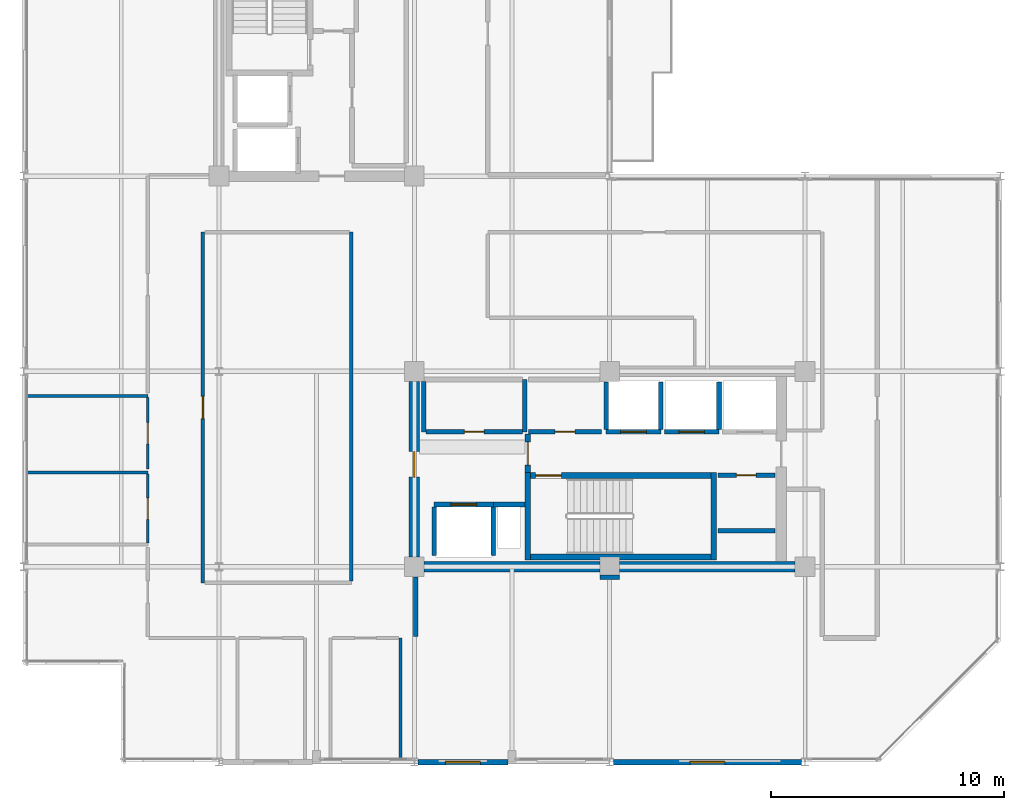
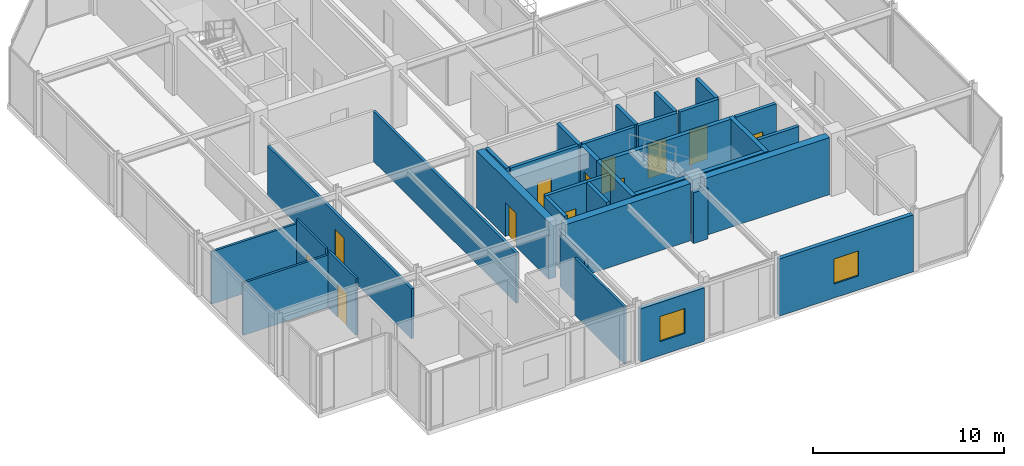
# One storey, part 21 of 26: 34 walls, 12 doors, 2 windows, 14 openings.
"""IFC4 building model written with IfcOpenShell, lengths in metres."""

from ifc_helpers import new_model, si_unit, direction, frame, frame_2d, origin, place, context, subcontext, project, spatial, rectangle, extrude, material, layer, layer_set, type_object, element, fill, save


model = new_model("IFC4")

# Units and contexts
model_context = context("Model", 3, precision=1e-05, world=origin(), true_north=direction((0.0, 1.0)))
body_context = subcontext(model_context, "Body", "Model", "MODEL_VIEW")
ifc_project = project(units=[si_unit("LENGTHUNIT", "METRE"), si_unit("AREAUNIT", "SQUARE_METRE"), si_unit("VOLUMEUNIT", "CUBIC_METRE"), si_unit("PLANEANGLEUNIT", "RADIAN"), si_unit("MASSUNIT", "GRAM", prefix="KILO")], contexts=[model_context])

# Site, building, storey
site_placement = place(None, origin())
site = spatial("IfcSite", under=ifc_project, at=site_placement, CompositionType="ELEMENT")
building_placement = place(site_placement, origin())
building = spatial("IfcBuilding", under=site, at=building_placement, Name="Nerrivon Quay Data Exchange", CompositionType="ELEMENT")
storey_placement = place(building_placement, frame((0.0, 0.0, 282.199951171875)))
storey = spatial("IfcBuildingStorey", under=building, at=storey_placement, Name="L67", CompositionType="ELEMENT", Elevation=282.199951171875)

# Wall, opening, window
ifc_material_1 = material(Name="Architectural terracotta precast concrete N50 (50 MPa)", Category="masonry")
ifc_layer_1 = layer(ifc_material_1, 0.239990234375)
ifc_layer_set_1 = layer_set([ifc_layer_1], Name="Architectural terracotta precast concrete N50 (50 MPa)")
wall_type_1 = type_object("IfcWallType", Name="EW-PREC-240", PredefinedType="STANDARD", material=ifc_layer_set_1)
wall_1_placement = place(storey_placement, frame((33.444580078125, 0.0, 0.0), z_axis=(0.0, 0.0, 1.0), x_axis=(-1.0, 0.0, 0.0)))
wall_1 = element("IfcWall", 1, at=wall_1_placement, inside=storey, type_object=wall_type_1, Name="L67 Podium Precast Spandrel Wall 3", PredefinedType="STANDARD", context=body_context, shape_type="SweptSolid", body=[
    extrude(rectangle(XDim=8.089111328125, YDim=0.239990234375, at=frame_2d((4.04443359375, 0.0))), origin(), (0.0, 0.0, 1.0), 3.650146484375),
])
opening_1_placement = place(wall_1_placement, frame((3.29443359375, 0.0, 0.89990234375)))
opening_1 = element("IfcOpeningElement", 2, at=opening_1_placement, cuts=wall_1, Name="Opening WN4", PredefinedType="OPENING", context=body_context, shape_type="SweptSolid", body=[
    extrude(rectangle(XDim=1.5, YDim=1.60009765625, at=frame_2d((0.75, 0.800048828125))), frame((0.0, 0.1298828125, 0.0), z_axis=(0.0, -1.0, 0.0), x_axis=(1.0, 0.0, 0.0)), (0.0, 0.0, 1.0), 0.260009765625),
])
ifc_material_2 = material(Name="Double-glazed low-E solar control glass", Category="glass")
window_type = type_object("IfcWindowType", Name="WIN-W4-1500x1600", PartitioningType="SINGLE_PANEL", PredefinedType="WINDOW", material=ifc_material_2)
window_1_placement = place(opening_1_placement, origin())
window_1 = element("IfcWindow", 3, at=window_1_placement, inside=storey, type_object=window_type, Name="L67 Solar Facade Window 3", OverallHeight=1.60009765625, OverallWidth=1.5, PartitioningType="SINGLE_PANEL", PredefinedType="WINDOW", context=body_context, shape_type="SweptSolid", body=[
    extrude(rectangle(XDim=1.5, YDim=1.60009765625, at=frame_2d((0.75, 0.800048828125))), frame((0.0, 0.030029296875, 0.0), z_axis=(0.0, -1.0, 0.0), x_axis=(1.0, 0.0, 0.0)), (0.0, 0.0, 1.0), 0.06005859375),
])
fill(opening_1, window_1)

wall_2_placement = place(storey_placement, frame((20.824951171875, 0.0, 0.0), z_axis=(0.0, 0.0, 1.0), x_axis=(-1.0, 0.0, 0.0)))
wall_2 = element("IfcWall", 4, at=wall_2_placement, inside=storey, type_object=wall_type_1, Name="L67 Podium Precast Spandrel Wall 5", PredefinedType="STANDARD", context=body_context, shape_type="SweptSolid", body=[
    extrude(rectangle(XDim=3.869384765625, YDim=0.239990234375, at=frame_2d((1.9345703125, 0.0))), origin(), (0.0, 0.0, 1.0), 3.400146484375),
])
opening_2_placement = place(wall_2_placement, frame((1.184814453125, 0.0, 0.89990234375)))
opening_2 = element("IfcOpeningElement", 5, at=opening_2_placement, cuts=wall_2, Name="Opening WN4", PredefinedType="OPENING", context=body_context, shape_type="SweptSolid", body=[
    extrude(rectangle(XDim=1.5, YDim=1.60009765625, at=frame_2d((0.75, 0.800048828125))), frame((0.0, 0.1298828125, 0.0), z_axis=(0.0, -1.0, 0.0), x_axis=(1.0, 0.0, 0.0)), (0.0, 0.0, 1.0), 0.260009765625),
])
window_2_placement = place(opening_2_placement, origin())
window_2 = element("IfcWindow", 6, at=window_2_placement, inside=storey, type_object=window_type, Name="L67 Solar Facade Window 5", OverallHeight=1.60009765625, OverallWidth=1.5, PartitioningType="SINGLE_PANEL", PredefinedType="WINDOW", context=body_context, shape_type="SweptSolid", body=[
    extrude(rectangle(XDim=1.5, YDim=1.60009765625, at=frame_2d((0.75, 0.800048828125))), frame((0.0, 0.030029296875, 0.0), z_axis=(0.0, -1.0, 0.0), x_axis=(1.0, 0.0, 0.0)), (0.0, 0.0, 1.0), 0.06005859375),
])
fill(opening_2, window_2)

# Walls
ifc_material_3 = material(Name="Concrete N50 (50 MPa)", Category="concrete")
ifc_layer_2 = layer(ifc_material_3, 0.449951171875)
ifc_layer_set_2 = layer_set([ifc_layer_2], Name="Concrete N50 (50 MPa)")
wall_type_2 = type_object("IfcWallType", Name="WALL-CW-550", PredefinedType="SHEAR", material=ifc_layer_set_2)
wall_3_placement = place(storey_placement, frame((17.22509765625, 8.39990234375, 0.0), z_axis=(0.0, 0.0, 1.0), x_axis=(1.0, 0.0, 0.0)))
element("IfcWall", 7, at=wall_3_placement, inside=storey, type_object=wall_type_2, Name="L67 East Split-Core Shear Wall ECW-S1", PredefinedType="SHEAR", context=body_context, shape_type="SweptSolid", body=[
    extrude(rectangle(XDim=7.5498046875, YDim=0.449951171875, at=frame_2d((3.77490234375, 0.0))), origin(), (0.0, 0.0, 1.0), 3.650146484375),
])
wall_4_placement = place(storey_placement, frame((25.625, 8.39990234375, 0.0), z_axis=(0.0, 0.0, 1.0), x_axis=(1.0, 0.0, 0.0)))
element("IfcWall", 8, at=wall_4_placement, inside=storey, type_object=wall_type_2, Name="L67 East Split-Core Shear Wall ECW-S2", PredefinedType="SHEAR", context=body_context, shape_type="SweptSolid", body=[
    extrude(rectangle(XDim=7.550048828125, YDim=0.449951171875, at=frame_2d((3.77490234375, 0.0))), origin(), (0.0, 0.0, 1.0), 3.650146484375),
])

# Wall, opening, door
wall_5_placement = place(storey_placement, frame((16.800048828125, 8.824951171875, 0.0), z_axis=(0.0, 0.0, 1.0), x_axis=(0.0, 1.0, 0.0)))
wall_5 = element("IfcWall", 9, at=wall_5_placement, inside=storey, type_object=wall_type_2, Name="L67 East Split-Core Shear Wall ECW-W1", PredefinedType="SHEAR", context=body_context, shape_type="SweptSolid", body=[
    extrude(rectangle(XDim=7.550048828125, YDim=0.449951171875, at=frame_2d((3.77490234375, 0.0))), origin(), (0.0, 0.0, 1.0), 3.650146484375),
])
opening_3_placement = place(wall_5_placement, frame((3.425048828125, 0.0, 0.0)))
opening_3 = element("IfcOpeningElement", 10, at=opening_3_placement, cuts=wall_5, Name="Opening FD-120", PredefinedType="OPENING", context=body_context, shape_type="SweptSolid", body=[
    extrude(rectangle(XDim=1.10009765625, YDim=2.14990234375, at=frame_2d((0.550048828125, 1.074951171875))), frame((0.0, 0.23486328125, 0.0), z_axis=(0.0, -1.0, 0.0), x_axis=(1.0, 0.0, 0.0)), (0.0, 0.0, 1.0), 0.469970703125),
])
ifc_material_4 = material(Name="Powder-coated galvanized steel sheet", Category="steel")
door_type_1 = type_object("IfcDoorType", Name="DR-FD120-1100", OperationType="NOTDEFINED", PredefinedType="DOOR", material=ifc_material_4)
door_1_placement = place(opening_3_placement, origin())
door_1 = element("IfcDoor", 11, at=door_1_placement, inside=storey, type_object=door_type_1, Name="L67 East Core Lobby Fire Door", OperationType="SINGLE_SWING_RIGHT", OverallHeight=2.14990234375, OverallWidth=1.10009765625, PredefinedType="DOOR", context=body_context, shape_type="SweptSolid", body=[
    extrude(rectangle(XDim=1.10009765625, YDim=2.14990234375, at=frame_2d((0.550048828125, 1.074951171875))), frame((0.0, 0.02490234375, 0.0), z_axis=(0.0, -1.0, 0.0), x_axis=(1.0, 0.0, 0.0)), (0.0, 0.0, 1.0), 0.050048828125),
])
fill(opening_3, door_1)

# Wall
ifc_material_5 = material(Name="Gypsum plasterboard on cold-formed framing", Category="gypsum")
ifc_layer_3 = layer(ifc_material_5, 0.199951171875)
ifc_layer_set_3 = layer_set([ifc_layer_3], Name="Gypsum plasterboard on cold-formed framing")
wall_type_3 = type_object("IfcWallType", Name="WALL-FW-200", PredefinedType="PARTITIONING", material=ifc_layer_set_3)
wall_6_placement = place(storey_placement, frame((20.199951171875, 11.080078125, 0.0), z_axis=(0.0, 0.0, 1.0), x_axis=(1.0, 0.0, 0.0)))
element("IfcWall", 12, at=wall_6_placement, inside=storey, type_object=wall_type_3, Name="L67 East Core MEP Riser Shaft Wall N", PredefinedType="PARTITIONING", context=body_context, shape_type="SweptSolid", body=[
    extrude(rectangle(XDim=1.35009765625, YDim=0.199951171875, at=frame_2d((0.675048828125, 0.0))), origin(), (0.0, 0.0, 1.0), 3.650146484375),
])

# Wall, opening, door
wall_7_placement = place(storey_placement, frame((17.64990234375, 11.080078125, 0.0), z_axis=(0.0, 0.0, 1.0), x_axis=(1.0, 0.0, 0.0)))
wall_7 = element("IfcWall", 13, at=wall_7_placement, inside=storey, type_object=wall_type_3, Name="L67 Lift Front Wall FFL-2", PredefinedType="PARTITIONING", context=body_context, shape_type="SweptSolid", body=[
    extrude(rectangle(XDim=2.550048828125, YDim=0.199951171875, at=frame_2d((1.27490234375, 0.0))), origin(), (0.0, 0.0, 1.0), 3.650146484375),
])
opening_4_placement = place(wall_7_placement, frame((0.72509765625, 0.0, 0.0)))
opening_4 = element("IfcOpeningElement", 14, at=opening_4_placement, cuts=wall_7, Name="Opening LD-120", PredefinedType="OPENING", context=body_context, shape_type="SweptSolid", body=[
    extrude(rectangle(XDim=1.10009765625, YDim=2.199951171875, at=frame_2d((0.550048828125, 1.10009765625))), frame((0.0, 0.10986328125, 0.0), z_axis=(0.0, -1.0, 0.0), x_axis=(1.0, 0.0, 0.0)), (0.0, 0.0, 1.0), 0.219970703125),
])
door_type_2 = type_object("IfcDoorType", Name="DR-LIFT-LD120", OperationType="DOUBLE_DOOR_SLIDING", PredefinedType="DOOR", material=ifc_material_4)
door_2_placement = place(opening_4_placement, origin())
door_2 = element("IfcDoor", 15, at=door_2_placement, inside=storey, type_object=door_type_2, Name="L67 Lift Landing Sliding Door FFL-2", OperationType="DOUBLE_DOOR_SLIDING", OverallHeight=2.199951171875, OverallWidth=1.10009765625, PredefinedType="DOOR", context=body_context, shape_type="SweptSolid", body=[
    extrude(rectangle(XDim=1.10009765625, YDim=2.199951171875, at=frame_2d((0.550048828125, 1.10009765625))), frame((0.0, 0.02490234375, 0.0), z_axis=(0.0, -1.0, 0.0), x_axis=(1.0, 0.0, 0.0)), (0.0, 0.0, 1.0), 0.050048828125),
])
fill(opening_4, door_2)

# Walls
for number, where, z_axis, x_axis, name in (
    (16, (20.199951171875, 8.8798828125, 0.0), (0.0, 0.0, 1.0), (0.0, 1.0, 0.0), "L67 Lift Shaft Wall FFL-2 EAST"),
    (17, (17.64990234375, 8.8798828125, 0.0), (0.0, 0.0, 1.0), (0.0, 1.0, 0.0), "L67 Lift Shaft Wall FFL-2 WEST"),
):
    element("IfcWall", number, at=place(storey_placement, frame(where, z_axis=z_axis, x_axis=x_axis)), inside=storey, type_object=wall_type_3, Name=name, PredefinedType="PARTITIONING", context=body_context, shape_type="SweptSolid", body=[
        extrude(rectangle(XDim=2.10009765625, YDim=0.199951171875, at=frame_2d((1.050048828125, 0.0))), origin(), (0.0, 0.0, 1.0), 3.650146484375),
    ])

# Wall, opening, door
wall_8_placement = place(storey_placement, frame((25.050048828125, 14.199951171875, 0.0), z_axis=(0.0, 0.0, 1.0), x_axis=(1.0, 0.0, 0.0)))
wall_8 = element("IfcWall", 18, at=wall_8_placement, inside=storey, type_object=wall_type_3, Name="L67 Lift Front Wall PL7", PredefinedType="PARTITIONING", context=body_context, shape_type="SweptSolid", body=[
    extrude(rectangle(XDim=2.349853515625, YDim=0.199951171875, at=frame_2d((1.1748046875, 0.0))), origin(), (0.0, 0.0, 1.0), 3.650146484375),
])
opening_5_placement = place(wall_8_placement, frame((0.625, 0.0, 0.0)))
opening_5 = element("IfcOpeningElement", 19, at=opening_5_placement, cuts=wall_8, Name="Opening LD-120", PredefinedType="OPENING", context=body_context, shape_type="SweptSolid", body=[
    extrude(rectangle(XDim=1.10009765625, YDim=2.199951171875, at=frame_2d((0.550048828125, 1.10009765625))), frame((0.0, 0.10986328125, 0.0), z_axis=(0.0, -1.0, 0.0), x_axis=(1.0, 0.0, 0.0)), (0.0, 0.0, 1.0), 0.219970703125),
])
door_3_placement = place(opening_5_placement, origin())
door_3 = element("IfcDoor", 20, at=door_3_placement, inside=storey, type_object=door_type_2, Name="L67 Lift Landing Sliding Door PL7", OperationType="DOUBLE_DOOR_SLIDING", OverallHeight=2.199951171875, OverallWidth=1.10009765625, PredefinedType="DOOR", context=body_context, shape_type="SweptSolid", body=[
    extrude(rectangle(XDim=1.10009765625, YDim=2.199951171875, at=frame_2d((0.550048828125, 1.10009765625))), frame((0.0, 0.02490234375, 0.0), z_axis=(0.0, -1.0, 0.0), x_axis=(1.0, 0.0, 0.0)), (0.0, 0.0, 1.0), 0.050048828125),
])
fill(opening_5, door_3)

# Walls
for number, where, z_axis, x_axis, name in (
    (21, (27.39990234375, 14.300048828125, 0.0), (0.0, 0.0, 1.0), (0.0, 1.0, 0.0), "L67 Lift Shaft Wall PL7 EAST"),
    (22, (25.050048828125, 14.300048828125, 0.0), (0.0, 0.0, 1.0), (0.0, 1.0, 0.0), "L67 Lift Shaft Wall PL7 WEST"),
):
    element("IfcWall", number, at=place(storey_placement, frame(where, z_axis=z_axis, x_axis=x_axis)), inside=storey, type_object=wall_type_3, Name=name, PredefinedType="PARTITIONING", context=body_context, shape_type="SweptSolid", body=[
        extrude(rectangle(XDim=2.050048828125, YDim=0.199951171875, at=frame_2d((1.02490234375, 0.0))), origin(), (0.0, 0.0, 1.0), 3.650146484375),
    ])

# Wall, opening, door
wall_9_placement = place(storey_placement, frame((27.550048828125, 14.199951171875, 0.0), z_axis=(0.0, 0.0, 1.0), x_axis=(1.0, 0.0, 0.0)))
wall_9 = element("IfcWall", 23, at=wall_9_placement, inside=storey, type_object=wall_type_3, Name="L67 Lift Front Wall PL8", PredefinedType="PARTITIONING", context=body_context, shape_type="SweptSolid", body=[
    extrude(rectangle(XDim=2.349853515625, YDim=0.199951171875, at=frame_2d((1.1748046875, 0.0))), origin(), (0.0, 0.0, 1.0), 3.650146484375),
])
opening_6_placement = place(wall_9_placement, frame((0.625, 0.0, 0.0)))
opening_6 = element("IfcOpeningElement", 24, at=opening_6_placement, cuts=wall_9, Name="Opening LD-120", PredefinedType="OPENING", context=body_context, shape_type="SweptSolid", body=[
    extrude(rectangle(XDim=1.10009765625, YDim=2.199951171875, at=frame_2d((0.550048828125, 1.10009765625))), frame((0.0, 0.10986328125, 0.0), z_axis=(0.0, -1.0, 0.0), x_axis=(1.0, 0.0, 0.0)), (0.0, 0.0, 1.0), 0.219970703125),
])
door_4_placement = place(opening_6_placement, origin())
door_4 = element("IfcDoor", 25, at=door_4_placement, inside=storey, type_object=door_type_2, Name="L67 Lift Landing Sliding Door PL8", OperationType="DOUBLE_DOOR_SLIDING", OverallHeight=2.199951171875, OverallWidth=1.10009765625, PredefinedType="DOOR", context=body_context, shape_type="SweptSolid", body=[
    extrude(rectangle(XDim=1.10009765625, YDim=2.199951171875, at=frame_2d((0.550048828125, 1.10009765625))), frame((0.0, 0.02490234375, 0.0), z_axis=(0.0, -1.0, 0.0), x_axis=(1.0, 0.0, 0.0)), (0.0, 0.0, 1.0), 0.050048828125),
])
fill(opening_6, door_4)

# Walls
wall_10_placement = place(storey_placement, frame((29.89990234375, 14.300048828125, 0.0), z_axis=(0.0, 0.0, 1.0), x_axis=(0.0, 1.0, 0.0)))
element("IfcWall", 26, at=wall_10_placement, inside=storey, type_object=wall_type_3, Name="L67 Lift Shaft Wall PL8 EAST", PredefinedType="PARTITIONING", context=body_context, shape_type="SweptSolid", body=[
    extrude(rectangle(XDim=2.050048828125, YDim=0.199951171875, at=frame_2d((1.02490234375, 0.0))), origin(), (0.0, 0.0, 1.0), 3.650146484375),
])
wall_11_placement = place(storey_placement, frame((21.550048828125, 14.199951171875, 0.0), z_axis=(0.0, 0.0, 1.0), x_axis=(0.0, 1.0, 0.0)))
element("IfcWall", 27, at=wall_11_placement, inside=storey, type_object=wall_type_3, Name="L67 Partition High-Zone Calibration Store", PredefinedType="PARTITIONING", context=body_context, shape_type="SweptSolid", body=[
    extrude(rectangle(XDim=2.25, YDim=0.199951171875, at=frame_2d((1.125, 0.0))), origin(), (0.0, 0.0, 1.0), 3.650146484375),
])
wall_12_placement = place(storey_placement, frame((17.199951171875, 16.3701171875, 0.0), z_axis=(0.0, 0.0, 1.0), x_axis=(0.0, -1.0, 0.0)))
element("IfcWall", 28, at=wall_12_placement, inside=storey, type_object=wall_type_3, Name="L67 Partition High-Zone Calibration Store", PredefinedType="PARTITIONING", context=body_context, shape_type="SweptSolid", body=[
    extrude(rectangle(XDim=2.170166015625, YDim=0.199951171875, at=frame_2d((1.0849609375, 0.0))), origin(), (0.0, 0.0, 1.0), 3.650146484375),
])

# Wall, opening, door
wall_13_placement = place(storey_placement, frame((17.303955078125, 14.199951171875, 0.0), z_axis=(0.0, 0.0, 1.0), x_axis=(1.0, 0.0, 0.0)))
wall_13 = element("IfcWall", 29, at=wall_13_placement, inside=storey, type_object=wall_type_3, Name="L67 Partition High-Zone Calibration Store", PredefinedType="PARTITIONING", context=body_context, shape_type="SweptSolid", body=[
    extrude(rectangle(XDim=4.14208984375, YDim=0.199951171875, at=frame_2d((2.071044921875, 0.0))), origin(), (0.0, 0.0, 1.0), 3.650146484375),
])
opening_7_placement = place(wall_13_placement, frame((1.64599609375, 0.0, 0.0)))
opening_7 = element("IfcOpeningElement", 30, at=opening_7_placement, cuts=wall_13, Name="Opening FD-60S", PredefinedType="OPENING", context=body_context, shape_type="SweptSolid", body=[
    extrude(rectangle(XDim=0.85009765625, YDim=2.14990234375, at=frame_2d((0.425048828125, 1.074951171875))), frame((0.0, 0.10986328125, 0.0), z_axis=(0.0, -1.0, 0.0), x_axis=(1.0, 0.0, 0.0)), (0.0, 0.0, 1.0), 0.219970703125),
])
ifc_material_6 = material(Name="Engineered hardwood timber", Category="wood")
door_type_3 = type_object("IfcDoorType", Name="DR-FD60-850", OperationType="NOTDEFINED", PredefinedType="DOOR", material=ifc_material_6)
door_5_placement = place(opening_7_placement, origin())
door_5 = element("IfcDoor", 31, at=door_5_placement, inside=storey, type_object=door_type_3, Name="L67 Door High-Zone Calibration Store", OperationType="SINGLE_SWING_LEFT", OverallHeight=2.14990234375, OverallWidth=0.85009765625, PredefinedType="DOOR", context=body_context, shape_type="SweptSolid", body=[
    extrude(rectangle(XDim=0.85009765625, YDim=2.14990234375, at=frame_2d((0.425048828125, 1.074951171875))), frame((0.0, 0.02490234375, 0.0), z_axis=(0.0, -1.0, 0.0), x_axis=(1.0, 0.0, 0.0)), (0.0, 0.0, 1.0), 0.050048828125),
])
fill(opening_7, door_5)

wall_14_placement = place(storey_placement, frame((21.699951171875, 14.199951171875, 0.0), z_axis=(0.0, 0.0, 1.0), x_axis=(1.0, 0.0, 0.0)))
wall_14 = element("IfcWall", 32, at=wall_14_placement, inside=storey, type_object=wall_type_3, Name="L67 Partition High-Zone Network Closet", PredefinedType="PARTITIONING", context=body_context, shape_type="SweptSolid", body=[
    extrude(rectangle(XDim=3.150146484375, YDim=0.199951171875, at=frame_2d((1.5751953125, 0.0))), origin(), (0.0, 0.0, 1.0), 3.650146484375),
])
opening_8_placement = place(wall_14_placement, frame((1.14990234375, 0.0, 0.0)))
opening_8 = element("IfcOpeningElement", 33, at=opening_8_placement, cuts=wall_14, Name="Opening FD-60S", PredefinedType="OPENING", context=body_context, shape_type="SweptSolid", body=[
    extrude(rectangle(XDim=0.85009765625, YDim=2.14990234375, at=frame_2d((0.425048828125, 1.074951171875))), frame((0.0, 0.10986328125, 0.0), z_axis=(0.0, -1.0, 0.0), x_axis=(1.0, 0.0, 0.0)), (0.0, 0.0, 1.0), 0.219970703125),
])
door_6_placement = place(opening_8_placement, origin())
door_6 = element("IfcDoor", 34, at=door_6_placement, inside=storey, type_object=door_type_3, Name="L67 Door High-Zone Network Closet", OperationType="SINGLE_SWING_RIGHT", OverallHeight=2.14990234375, OverallWidth=0.85009765625, PredefinedType="DOOR", context=body_context, shape_type="SweptSolid", body=[
    extrude(rectangle(XDim=0.85009765625, YDim=2.14990234375, at=frame_2d((0.425048828125, 1.074951171875))), frame((0.0, 0.02490234375, 0.0), z_axis=(0.0, -1.0, 0.0), x_axis=(1.0, 0.0, 0.0)), (0.0, 0.0, 1.0), 0.050048828125),
])
fill(opening_8, door_6)

wall_15_placement = place(storey_placement, frame((32.300048828125, 12.330078125, 0.0), z_axis=(0.0, 0.0, 1.0), x_axis=(-1.0, 0.0, 0.0)))
wall_15 = element("IfcWall", 35, at=wall_15_placement, inside=storey, type_object=wall_type_3, Name="L67 Partition East Supply Store", PredefinedType="PARTITIONING", context=body_context, shape_type="SweptSolid", body=[
    extrude(rectangle(XDim=2.449951171875, YDim=0.199951171875, at=frame_2d((1.22509765625, 0.0))), origin(), (0.0, 0.0, 1.0), 3.650146484375),
])
opening_9_placement = place(wall_15_placement, frame((0.800048828125, 0.0, 0.0)))
opening_9 = element("IfcOpeningElement", 36, at=opening_9_placement, cuts=wall_15, Name="Opening FD-60S", PredefinedType="OPENING", context=body_context, shape_type="SweptSolid", body=[
    extrude(rectangle(XDim=0.85009765625, YDim=2.14990234375, at=frame_2d((0.425048828125, 1.074951171875))), frame((0.0, 0.10986328125, 0.0), z_axis=(0.0, -1.0, 0.0), x_axis=(1.0, 0.0, 0.0)), (0.0, 0.0, 1.0), 0.219970703125),
])
door_7_placement = place(opening_9_placement, origin())
door_7 = element("IfcDoor", 37, at=door_7_placement, inside=storey, type_object=door_type_3, Name="L67 Door East Supply Store", OperationType="SINGLE_SWING_LEFT", OverallHeight=2.14990234375, OverallWidth=0.85009765625, PredefinedType="DOOR", context=body_context, shape_type="SweptSolid", body=[
    extrude(rectangle(XDim=0.85009765625, YDim=2.14990234375, at=frame_2d((0.425048828125, 1.074951171875))), frame((0.0, 0.02490234375, 0.0), z_axis=(0.0, -1.0, 0.0), x_axis=(1.0, 0.0, 0.0)), (0.0, 0.0, 1.0), 0.050048828125),
])
fill(opening_9, door_7)

# Walls
wall_16_placement = place(storey_placement, frame((29.85009765625, 9.949951171875, 0.0), z_axis=(0.0, 0.0, 1.0), x_axis=(1.0, 0.0, 0.0)))
element("IfcWall", 38, at=wall_16_placement, inside=storey, type_object=wall_type_3, Name="L67 Partition East Supply Store", PredefinedType="PARTITIONING", context=body_context, shape_type="SweptSolid", body=[
    extrude(rectangle(XDim=2.449951171875, YDim=0.199951171875, at=frame_2d((1.22509765625, 0.0))), origin(), (0.0, 0.0, 1.0), 3.650146484375),
])
wall_17_placement = place(storey_placement, frame((25.630859375, 7.955810546875, 0.0), z_axis=(0.0, 0.0, 1.0), x_axis=(-0.99999963391, -0.000855675671, 0.0)))
element("IfcWall", 39, at=wall_17_placement, inside=storey, type_object=wall_type_3, Name="L67 Partition Colocation Data Workspace 1", PredefinedType="PARTITIONING", context=body_context, shape_type="SweptSolid", body=[
    extrude(rectangle(XDim=0.85595703125, YDim=0.199951171875, at=frame_2d((0.427978515625, 0.0))), origin(), (0.0, 0.0, 1.0), 3.244140625),
])
wall_18_placement = place(storey_placement, frame((16.860107421875, 7.955078125, 0.0), z_axis=(0.0, 0.0, 1.0), x_axis=(0.0, -1.0, 0.0)))
element("IfcWall", 40, at=wall_18_placement, inside=storey, type_object=wall_type_3, Name="L67 Partition Colocation Data Workspace 1", PredefinedType="PARTITIONING", context=body_context, shape_type="SweptSolid", body=[
    extrude(rectangle(XDim=2.55517578125, YDim=0.199951171875, at=frame_2d((1.277587890625, 0.0))), origin(), (0.0, 0.0, 1.0), 3.244140625),
])

# Wall, opening, door
ifc_layer_4 = layer(ifc_material_5, 0.1201171875)
ifc_layer_set_4 = layer_set([ifc_layer_4], Name="Gypsum plasterboard on cold-formed framing")
wall_type_4 = type_object("IfcWallType", Name="WALL-PT-120", PredefinedType="PARTITIONING", material=ifc_layer_set_4)
wall_19_placement = place(storey_placement, frame((5.340087890625, 9.42138671875, 0.0), z_axis=(0.0, 0.0, 1.0), x_axis=(0.0, 1.0, 0.0)))
wall_19 = element("IfcWall", 41, at=wall_19_placement, inside=storey, type_object=wall_type_4, Name="L67 Partition Accessible Toilet", PredefinedType="PARTITIONING", context=body_context, shape_type="SweptSolid", body=[
    extrude(rectangle(XDim=2.95703125, YDim=0.1201171875, at=frame_2d((1.478515625, 0.0))), origin(), (0.0, 0.0, 1.0), 3.650146484375),
])
opening_10_placement = place(wall_19_placement, frame((1.0185546875, 0.0, 0.0)))
opening_10 = element("IfcOpeningElement", 42, at=opening_10_placement, cuts=wall_19, Name="Opening D-WC", PredefinedType="OPENING", context=body_context, shape_type="SweptSolid", body=[
    extrude(rectangle(XDim=0.919921875, YDim=2.10009765625, at=frame_2d((0.4599609375, 1.050048828125))), frame((0.0, 0.070068359375, 0.0), z_axis=(0.0, -1.0, 0.0), x_axis=(1.0, 0.0, 0.0)), (0.0, 0.0, 1.0), 0.14013671875),
])
door_type_4 = type_object("IfcDoorType", Name="DR-WC-920", OperationType="NOTDEFINED", PredefinedType="DOOR", material=ifc_material_6)
door_8_placement = place(opening_10_placement, origin())
door_8 = element("IfcDoor", 43, at=door_8_placement, inside=storey, type_object=door_type_4, Name="L67 Door Accessible Toilet", OperationType="SINGLE_SWING_RIGHT", OverallHeight=2.10009765625, OverallWidth=0.919921875, PredefinedType="DOOR", context=body_context, shape_type="SweptSolid", body=[
    extrude(rectangle(XDim=0.919921875, YDim=2.10009765625, at=frame_2d((0.4599609375, 1.050048828125))), frame((0.0, 0.02490234375, 0.0), z_axis=(0.0, -1.0, 0.0), x_axis=(1.0, 0.0, 0.0)), (0.0, 0.0, 1.0), 0.050048828125),
])
fill(opening_10, door_8)

wall_20_placement = place(storey_placement, frame((5.340087890625, 12.60009765625, 0.0), z_axis=(0.0, 0.0, 1.0), x_axis=(0.0, 1.0, 0.0)))
wall_20 = element("IfcWall", 44, at=wall_20_placement, inside=storey, type_object=wall_type_4, Name="L67 Partition Public Washrooms", PredefinedType="PARTITIONING", context=body_context, shape_type="SweptSolid", body=[
    extrude(rectangle(XDim=3.078369140625, YDim=0.1201171875, at=frame_2d((1.5390625, 0.0))), origin(), (0.0, 0.0, 1.0), 3.650146484375),
])
opening_11_placement = place(wall_20_placement, frame((1.079345703125, 0.0, 0.0)))
opening_11 = element("IfcOpeningElement", 45, at=opening_11_placement, cuts=wall_20, Name="Opening D-WC", PredefinedType="OPENING", context=body_context, shape_type="SweptSolid", body=[
    extrude(rectangle(XDim=0.919921875, YDim=2.10009765625, at=frame_2d((0.4599609375, 1.050048828125))), frame((0.0, 0.070068359375, 0.0), z_axis=(0.0, -1.0, 0.0), x_axis=(1.0, 0.0, 0.0)), (0.0, 0.0, 1.0), 0.14013671875),
])
door_9_placement = place(opening_11_placement, origin())
door_9 = element("IfcDoor", 46, at=door_9_placement, inside=storey, type_object=door_type_4, Name="L67 Door Public Washrooms", OperationType="SINGLE_SWING_LEFT", OverallHeight=2.10009765625, OverallWidth=0.919921875, PredefinedType="DOOR", context=body_context, shape_type="SweptSolid", body=[
    extrude(rectangle(XDim=0.919921875, YDim=2.10009765625, at=frame_2d((0.4599609375, 1.050048828125))), frame((0.0, 0.02490234375, 0.0), z_axis=(0.0, -1.0, 0.0), x_axis=(1.0, 0.0, 0.0)), (0.0, 0.0, 1.0), 0.050048828125),
])
fill(opening_11, door_9)

# Walls
ifc_layer_5 = layer(ifc_material_5, 0.135009765625)
ifc_layer_set_5 = layer_set([ifc_layer_5], Name="Gypsum plasterboard on cold-formed framing")
wall_type_5 = type_object("IfcWallType", Name="WALL-PT-135", PredefinedType="PARTITIONING", material=ifc_layer_set_5)
for number, where, z_axis, x_axis, name in (
    (47, (5.340087890625, 12.449951171875, 0.0), (0.0, 0.0, 1.0), (-1.0, 0.0, 0.0), "L67 Partition Accessible Toilet"),
    (48, (5.340087890625, 15.75, 0.0), (0.0, 0.0, 1.0), (-1.0, 0.0, 0.0), "L67 Partition Public Washrooms"),
):
    element("IfcWall", number, at=place(storey_placement, frame(where, z_axis=z_axis, x_axis=x_axis)), inside=storey, type_object=wall_type_5, Name=name, PredefinedType="PARTITIONING", context=body_context, shape_type="SweptSolid", body=[
        extrude(rectangle(XDim=5.171142578125, YDim=0.135009765625, at=frame_2d((2.58544921875, 0.0))), origin(), (0.0, 0.0, 1.0), 3.345947265625),
    ])
wall_21_placement = place(storey_placement, frame((16.199951171875, 0.1689453125, 0.0), z_axis=(0.0, 0.0, 1.0), x_axis=(0.0, 1.0, 0.0)))
element("IfcWall", 49, at=wall_21_placement, inside=storey, type_object=wall_type_5, Name="L67 Partition Accessible Unisex Toilet", PredefinedType="PARTITIONING", context=body_context, shape_type="SweptSolid", body=[
    extrude(rectangle(XDim=5.171142578125, YDim=0.135009765625, at=frame_2d((2.58544921875, 0.0))), origin(), (0.0, 0.0, 1.0), 3.650146484375),
])

# Wall, opening, door
ifc_layer_6 = layer(ifc_material_5, 0.14990234375)
ifc_layer_set_6 = layer_set([ifc_layer_6], Name="Gypsum plasterboard on cold-formed framing")
wall_type_6 = type_object("IfcWallType", Name="WALL-PT-150", PredefinedType="PARTITIONING", material=ifc_layer_set_6)
wall_22_placement = place(storey_placement, frame((7.7099609375, 22.7900390625, 0.0), z_axis=(0.0, 0.0, 1.0), x_axis=(0.0, -1.0, 0.0)))
wall_22 = element("IfcWall", 50, at=wall_22_placement, inside=storey, type_object=wall_type_6, Name="L67 Partition Staff Bistro", PredefinedType="PARTITIONING", context=body_context, shape_type="SweptSolid", body=[
    extrude(rectangle(XDim=15.080078125, YDim=0.14990234375, at=frame_2d((7.5400390625, 0.0))), origin(), (0.0, 0.0, 1.0), 3.196044921875),
])
opening_12_placement = place(wall_22_placement, frame((7.06494140625, 0.0, 0.0)))
opening_12 = element("IfcOpeningElement", 51, at=opening_12_placement, cuts=wall_22, Name="Opening D-01", PredefinedType="OPENING", context=body_context, shape_type="SweptSolid", body=[
    extrude(rectangle(XDim=0.949951171875, YDim=2.14990234375, at=frame_2d((0.47509765625, 1.074951171875))), frame((0.0, 0.0849609375, 0.0), z_axis=(0.0, -1.0, 0.0), x_axis=(1.0, 0.0, 0.0)), (0.0, 0.0, 1.0), 0.169921875),
])
door_type_5 = type_object("IfcDoorType", Name="DR-INT-950", OperationType="NOTDEFINED", PredefinedType="DOOR", material=ifc_material_6)
door_10_placement = place(opening_12_placement, origin())
door_10 = element("IfcDoor", 52, at=door_10_placement, inside=storey, type_object=door_type_5, Name="L67 Door Staff Bistro", OperationType="SINGLE_SWING_RIGHT", OverallHeight=2.14990234375, OverallWidth=0.949951171875, PredefinedType="DOOR", context=body_context, shape_type="SweptSolid", body=[
    extrude(rectangle(XDim=0.949951171875, YDim=2.14990234375, at=frame_2d((0.47509765625, 1.074951171875))), frame((0.0, 0.02490234375, 0.0), z_axis=(0.0, -1.0, 0.0), x_axis=(1.0, 0.0, 0.0)), (0.0, 0.0, 1.0), 0.050048828125),
])
fill(opening_12, door_10)

# Walls
wall_23_placement = place(storey_placement, frame((14.090087890625, 7.7890625, 0.0), z_axis=(0.0, 0.0, 1.0), x_axis=(0.0, 1.0, 0.0)))
element("IfcWall", 53, at=wall_23_placement, inside=storey, type_object=wall_type_6, Name="L67 Partition Staff Bistro", PredefinedType="PARTITIONING", context=body_context, shape_type="SweptSolid", body=[
    extrude(rectangle(XDim=15.0009765625, YDim=0.14990234375, at=frame_2d((7.50048828125, 0.0))), origin(), (0.0, 0.0, 1.0), 3.196044921875),
])
ifc_layer_7 = layer(ifc_material_3, 0.25)
ifc_layer_set_7 = layer_set([ifc_layer_7], Name="Concrete N50 (50 MPa)")
wall_type_7 = type_object("IfcWallType", Name="WALL-SW-250", PredefinedType="SHEAR", material=ifc_layer_set_7)
for number, where, z_axis, x_axis, name in (
    (54, (21.675048828125, 8.699951171875, 0.0), (0.0, 0.0, 1.0), (0.0, 1.0, 0.0), "L67 ST02 Structural Stair Core Wall NEAR"),
    (55, (29.675048828125, 8.699951171875, 0.0), (0.0, 0.0, 1.0), (0.0, 1.0, 0.0), "L67 ST02 Structural Stair Core Wall FAR"),
):
    element("IfcWall", number, at=place(storey_placement, frame(where, z_axis=z_axis, x_axis=x_axis)), inside=storey, type_object=wall_type_7, Name=name, PredefinedType="SHEAR", context=body_context, shape_type="SweptSolid", body=[
        extrude(rectangle(XDim=3.75, YDim=0.25, at=frame_2d((1.875, 0.0))), origin(), (0.0, 0.0, 1.0), 3.650146484375),
    ])
wall_24_placement = place(storey_placement, frame((21.800048828125, 8.824951171875, 0.0), z_axis=(0.0, 0.0, 1.0), x_axis=(1.0, 0.0, 0.0)))
element("IfcWall", 56, at=wall_24_placement, inside=storey, type_object=wall_type_7, Name="L67 ST02 Structural Stair Core Wall LEFT", PredefinedType="SHEAR", context=body_context, shape_type="SweptSolid", body=[
    extrude(rectangle(XDim=7.75, YDim=0.25, at=frame_2d((3.875, 0.0))), origin(), (0.0, 0.0, 1.0), 3.650146484375),
])

# Wall, opening, door
wall_25_placement = place(storey_placement, frame((21.800048828125, 12.324951171875, 0.0), z_axis=(0.0, 0.0, 1.0), x_axis=(1.0, 0.0, 0.0)))
wall_25 = element("IfcWall", 57, at=wall_25_placement, inside=storey, type_object=wall_type_7, Name="L67 ST02 Structural Stair Core Wall RIGHT", PredefinedType="SHEAR", context=body_context, shape_type="SweptSolid", body=[
    extrude(rectangle(XDim=7.75, YDim=0.25, at=frame_2d((3.875, 0.0))), origin(), (0.0, 0.0, 1.0), 3.650146484375),
])
opening_13_placement = place(wall_25_placement, frame((0.219970703125, 0.0, 0.0)))
opening_13 = element("IfcOpeningElement", 58, at=opening_13_placement, cuts=wall_25, Name="Opening FD-120", PredefinedType="OPENING", context=body_context, shape_type="SweptSolid", body=[
    extrude(rectangle(XDim=1.10009765625, YDim=2.14990234375, at=frame_2d((0.550048828125, 1.074951171875))), frame((0.0, 0.135009765625, 0.0), z_axis=(0.0, -1.0, 0.0), x_axis=(1.0, 0.0, 0.0)), (0.0, 0.0, 1.0), 0.27001953125),
])
door_11_placement = place(opening_13_placement, origin())
door_11 = element("IfcDoor", 59, at=door_11_placement, inside=storey, type_object=door_type_1, Name="L67 Protected Stair Door ST02", OperationType="SINGLE_SWING_RIGHT", OverallHeight=2.14990234375, OverallWidth=1.10009765625, PredefinedType="DOOR", context=body_context, shape_type="SweptSolid", body=[
    extrude(rectangle(XDim=1.10009765625, YDim=2.14990234375, at=frame_2d((0.550048828125, 1.074951171875))), frame((0.0, 0.02490234375, 0.0), z_axis=(0.0, -1.0, 0.0), x_axis=(1.0, 0.0, 0.0)), (0.0, 0.0, 1.0), 0.050048828125),
])
fill(opening_13, door_11)

wall_26_placement = place(storey_placement, frame((21.679931640625, 12.449951171875, 0.0), z_axis=(0.0, 0.0, 1.0), x_axis=(0.0, 1.0, 0.0)))
wall_26 = element("IfcWall", 60, at=wall_26_placement, inside=storey, type_object=wall_type_7, Name="L67 East Firefighting Lobby Wall", PredefinedType="SHEAR", context=body_context, shape_type="SweptSolid", body=[
    extrude(rectangle(XDim=1.650146484375, YDim=0.25, at=frame_2d((0.8251953125, 0.0))), origin(), (0.0, 0.0, 1.0), 3.650146484375),
])
opening_14_placement = place(wall_26_placement, frame((0.324951171875, 0.0, 0.0)))
opening_14 = element("IfcOpeningElement", 61, at=opening_14_placement, cuts=wall_26, Name="Opening FD-60", PredefinedType="OPENING", context=body_context, shape_type="SweptSolid", body=[
    extrude(rectangle(XDim=1.0, YDim=2.14990234375, at=frame_2d((0.5, 1.074951171875))), frame((0.0, 0.135009765625, 0.0), z_axis=(0.0, -1.0, 0.0), x_axis=(1.0, 0.0, 0.0)), (0.0, 0.0, 1.0), 0.27001953125),
])
door_type_6 = type_object("IfcDoorType", Name="DR-FD60-1000", OperationType="NOTDEFINED", PredefinedType="DOOR", material=ifc_material_6)
door_12_placement = place(opening_14_placement, origin())
door_12 = element("IfcDoor", 62, at=door_12_placement, inside=storey, type_object=door_type_6, Name="L67 East Firefighting Lobby Fire Door", OperationType="SINGLE_SWING_RIGHT", OverallHeight=2.14990234375, OverallWidth=1.0, PredefinedType="DOOR", context=body_context, shape_type="SweptSolid", body=[
    extrude(rectangle(XDim=1.0, YDim=2.14990234375, at=frame_2d((0.5, 1.074951171875))), frame((0.0, 0.02490234375, 0.0), z_axis=(0.0, -1.0, 0.0), x_axis=(1.0, 0.0, 0.0)), (0.0, 0.0, 1.0), 0.050048828125),
])
fill(opening_14, door_12)

save(model, "model.ifc")
